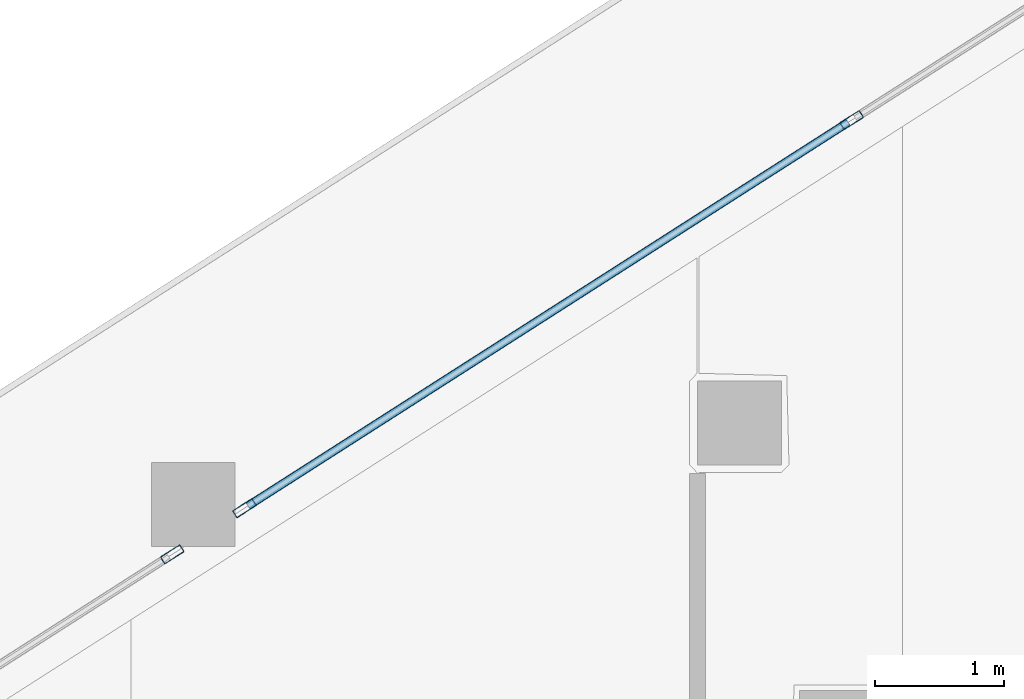
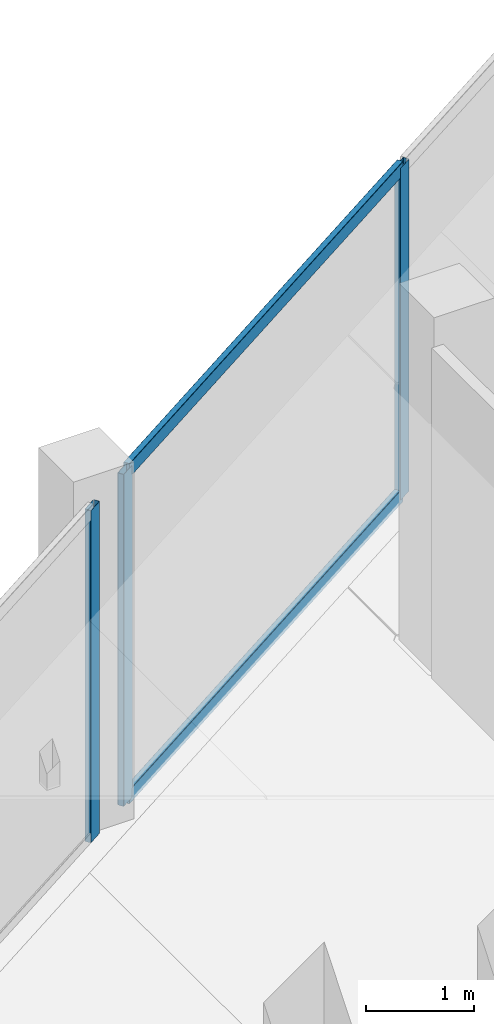
# One storey, part 18 of 45: 5 members, 2 elements without a shape of their own.
"""IFC4 building model written with IfcOpenShell, lengths in metres."""

from ifc_helpers import new_model, si_unit, direction, frame, origin, origin_2d, place, context, subcontext, project, spatial, hollow_rectangle, extrude, material, layer, layer_set, material_profile, profile_set, type_object, element, aggregate, save


model = new_model("IFC4")

# Units and contexts
model_context = context("Model", 3, precision=1e-05, world=origin(), true_north=direction((0.0, 1.0)))
body_context = subcontext(model_context, "Body", "Model", "MODEL_VIEW")
ifc_project = project(units=[si_unit("LENGTHUNIT", "METRE"), si_unit("AREAUNIT", "SQUARE_METRE"), si_unit("VOLUMEUNIT", "CUBIC_METRE"), si_unit("PLANEANGLEUNIT", "RADIAN"), si_unit("MASSUNIT", "GRAM", prefix="KILO")], contexts=[model_context])

# Site, building, storey
site_placement = place(None, origin())
site = spatial("IfcSite", under=ifc_project, at=site_placement, CompositionType="ELEMENT")
building_placement = place(site_placement, origin())
building = spatial("IfcBuilding", under=site, at=building_placement, Name="Qorvath Tower", CompositionType="ELEMENT")
storey_placement = place(building_placement, frame((0.0, 0.0, 109.800048828125)))
storey = spatial("IfcBuildingStorey", under=building, at=storey_placement, Name="L24", CompositionType="ELEMENT", Elevation=109.800048828125)

# Curtain wall, members
ifc_material_1 = material(Name="Anodised aluminium and triple low-E glass", Category="aluminium")
ifc_layer = layer(ifc_material_1, 0.179931640625)
ifc_layer_set = layer_set([ifc_layer], Name="CW-SYS-2")
curtain_wall_type = type_object("IfcCurtainWallType", Name="CW-SYS-2", PredefinedType="NOTDEFINED", material=ifc_layer_set)
curtain_wall_1_placement = place(storey_placement, origin())
curtain_wall_1 = element("IfcCurtainWall", 1, at=curtain_wall_1_placement, inside=storey, type_object=curtain_wall_type, Name="Curtain Wall CW-2 CW-T-L24-16.2", PredefinedType="NOTDEFINED")
ifc_material_2 = material(Name="Anodised aluminium 6063-T6", Category="aluminium")
ifc_material_profile_1 = material_profile(ifc_material_2, hollow_rectangle(XDim=0.06494140625, YDim=0.179931640625, WallThickness=0.00341796875, InnerFilletRadius=0.00341796875, OuterFilletRadius=0.007080078125, at=origin_2d()), Name="CWM 180x65")
ifc_profile_set_1 = profile_set([ifc_material_profile_1], Name="Anodised aluminium 6063-T6")
member_type_1 = type_object("IfcMemberType", Name="CWM-180", PredefinedType="MULLION", material=ifc_profile_set_1)
member_1_placement = place(storey_placement, frame((-30.14453125, 21.809814453125, 0.0), z_axis=(0.0, 0.0, 1.0), x_axis=(0.538542779135, -0.84259816938, 0.0)))
member_1 = element("IfcMember", 2, at=member_1_placement, type_object=member_type_1, Name="CW-2 mullion 2", PredefinedType="MULLION", context=body_context, shape_type="SweptSolid", body=[
    extrude(hollow_rectangle(XDim=0.06494140625, YDim=0.179931640625, WallThickness=0.00341796875, InnerFilletRadius=0.00341796875, OuterFilletRadius=0.007080078125, at=origin_2d()), origin(), (0.0, 0.0, 1.0), 3.77001953125),
])
member_2_placement = place(storey_placement, frame((-34.854248046875, 18.7998046875, 0.0), z_axis=(0.0, 0.0, 1.0), x_axis=(0.538542779135, -0.84259816938, 0.0)))
member_2 = element("IfcMember", 3, at=member_2_placement, type_object=member_type_1, Name="CW-2 mullion 3", PredefinedType="MULLION", context=body_context, shape_type="SweptSolid", body=[
    extrude(hollow_rectangle(XDim=0.06494140625, YDim=0.179931640625, WallThickness=0.00341796875, InnerFilletRadius=0.00341796875, OuterFilletRadius=0.007080078125, at=origin_2d()), origin(), (0.0, 0.0, 1.0), 3.77001953125),
])

# Curtain wall, member
curtain_wall_2_placement = place(storey_placement, origin())
curtain_wall_2 = element("IfcCurtainWall", 4, at=curtain_wall_2_placement, inside=storey, type_object=curtain_wall_type, Name="Curtain Wall CW-2 CW-T-L24-16.3", PredefinedType="NOTDEFINED")
member_3_placement = place(storey_placement, frame((-35.414306640625, 18.441650390625, 0.0), z_axis=(0.0, 0.0, 1.0), x_axis=(0.538529946269, -0.84260637131, 0.0)))
member_3 = element("IfcMember", 5, at=member_3_placement, type_object=member_type_1, Name="CW-2 mullion 1", PredefinedType="MULLION", context=body_context, shape_type="SweptSolid", body=[
    extrude(hollow_rectangle(XDim=0.06494140625, YDim=0.179931640625, WallThickness=0.00341796875, InnerFilletRadius=0.00341796875, OuterFilletRadius=0.007080078125, at=origin_2d()), origin(), (0.0, 0.0, 1.0), 3.77001953125),
])
aggregate(curtain_wall_2, [member_3])

# Member
ifc_material_3 = material(Name="Anodised aluminium 6063-T6", Category="aluminium")
ifc_material_profile_2 = material_profile(ifc_material_3, hollow_rectangle(XDim=0.06494140625, YDim=0.159912109375, WallThickness=0.00341796875, InnerFilletRadius=0.00341796875, OuterFilletRadius=0.007080078125, at=origin_2d()), Name="CWT 160x65")
ifc_profile_set_2 = profile_set([ifc_material_profile_2], Name="Anodised aluminium 6063-T6")
member_type_2 = type_object("IfcMemberType", Name="CWT-160", PredefinedType="USERDEFINED", material=ifc_profile_set_2)
member_4_placement = place(storey_placement, frame((-30.172119140625, 21.792236328125, 0.032470703125), z_axis=(-0.84259710634, -0.538544442351, 0.0), x_axis=(0.538544442351, -0.84259710634, 0.0)))
member_4 = element("IfcMember", 6, at=member_4_placement, type_object=member_type_2, Name="CW-2 transom 2.1", ObjectType="TRANSOM", PredefinedType="USERDEFINED", context=body_context, shape_type="SweptSolid", body=[
    extrude(hollow_rectangle(XDim=0.06494140625, YDim=0.159912109375, WallThickness=0.00341796875, InnerFilletRadius=0.00341796875, OuterFilletRadius=0.007080078125, at=origin_2d()), origin(), (0.0, 0.0, 1.0), 5.5244140625),
])

member_5_placement = place(storey_placement, frame((-30.172119140625, 21.792236328125, 3.737548828125), z_axis=(-0.84259710634, -0.538544442351, 0.0), x_axis=(0.538544442351, -0.84259710634, 0.0)))
member_5 = element("IfcMember", 7, at=member_5_placement, type_object=member_type_2, Name="CW-2 transom 2.2", ObjectType="TRANSOM", PredefinedType="USERDEFINED", context=body_context, shape_type="SweptSolid", body=[
    extrude(hollow_rectangle(XDim=0.06494140625, YDim=0.159912109375, WallThickness=0.00341796875, InnerFilletRadius=0.00341796875, OuterFilletRadius=0.007080078125, at=origin_2d()), origin(), (0.0, 0.0, 1.0), 5.5244140625),
])

aggregate(curtain_wall_1, [member_1, member_2, member_4, member_5])

save(model, "model.ifc")
